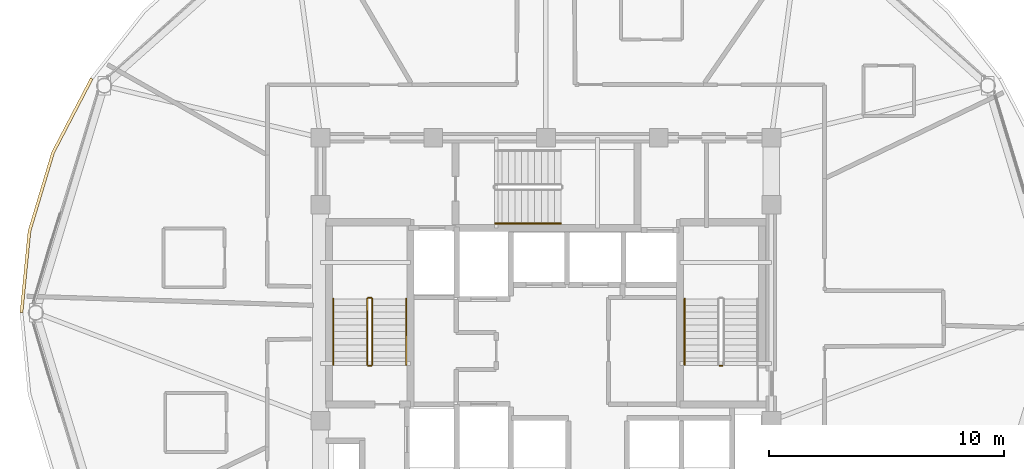
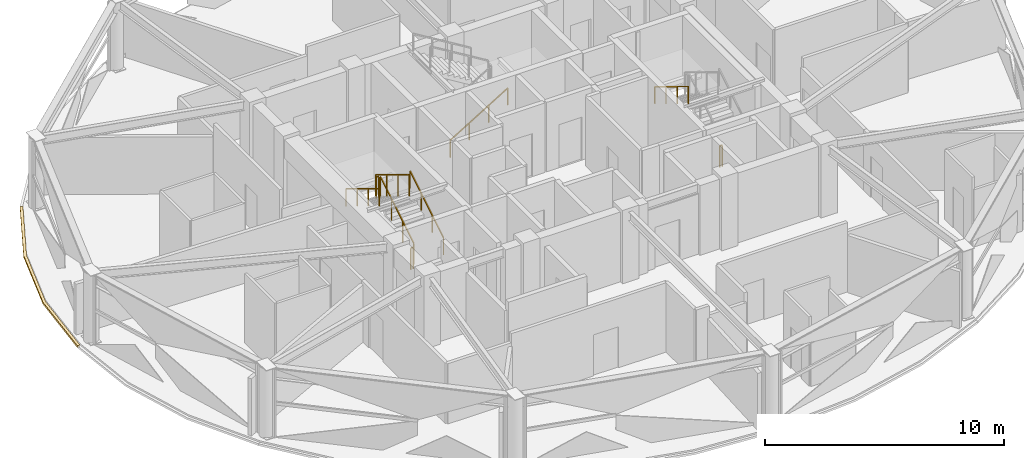
# One storey, part 26 of 28: 9 railings, 1 covering.
"""IFC4 building model written with IfcOpenShell, lengths in metres."""

import ifcopenshell
import ifcopenshell.guid

model = None  # the IFC model being written
_history = None  # IfcOwnerHistory: only IFC2X3 demands one
_inside = {}  # id of a spatial element -> (the spatial element, [elements in it])
_under = {}  # id of a project, library or spatial element -> (it, [spatial elements below it])
_declared = {}  # id of a project -> (the project, [libraries it declares])
_typed = {}  # id of a type object -> (the type object, [elements of that type])
_made_of = {}  # id of a material, layer set ... -> (it, [elements and type objects made of it])


def new_model(schema):
    """Start an empty IFC model of exactly this schema.

    Asked for "IFC4X3", IfcOpenShell would pick the latest addendum, in which some entities
    have other attributes; the version numbers below select the first issue.
    IFC2X3 requires an IfcOwnerHistory on every rooted entity: one is made here for all.
    """
    global model, _history
    if schema == "IFC4X3":
        model = ifcopenshell.file(schema_version=(4, 3, 0, 0))
    else:
        model = ifcopenshell.file(schema=schema)
    _inside.clear()
    _under.clear()
    _declared.clear()
    _typed.clear()
    _made_of.clear()
    _history = None
    if model.schema == "IFC2X3":
        org = make("IfcOrganization", Name="unknown")
        user = make(
            "IfcPersonAndOrganization",
            ThePerson=make("IfcPerson", FamilyName="unknown"),
            TheOrganization=org,
        )
        app = make(
            "IfcApplication",
            ApplicationDeveloper=org,
            Version="unknown",
            ApplicationFullName="unknown",
            ApplicationIdentifier="unknown",
        )
        _history = make(
            "IfcOwnerHistory",
            OwningUser=user,
            OwningApplication=app,
            ChangeAction="ADDED",
            CreationDate=0,
        )
    return model


def make(cls, **values):
    """One entity of the class cls with the attributes given. An attribute that is None is left unset."""
    return model.create_entity(
        cls, **{name: value for name, value in values.items() if value is not None}
    )


def rooted(cls, **values):
    """An entity with a GlobalId (a new one), such as an element, a storey or a relation."""
    return make(cls, GlobalId=ifcopenshell.guid.new(), OwnerHistory=_history, **values)


def si_unit(unit_type, name, prefix=None):
    """IfcSIUnit, for example si_unit("LENGTHUNIT", "METRE", prefix="MILLI")."""
    return make("IfcSIUnit", UnitType=unit_type, Prefix=prefix, Name=name)


def assignment(units):
    """IfcUnitAssignment: the units of a project."""
    return None if units is None else make("IfcUnitAssignment", Units=units)


def point(xyz):
    """IfcCartesianPoint."""
    return None if xyz is None else make("IfcCartesianPoint", Coordinates=xyz)


def direction(xyz):
    """IfcDirection."""
    return None if xyz is None else make("IfcDirection", DirectionRatios=xyz)


def frame(location, z_axis=None, x_axis=None):
    """IfcAxis2Placement3D, a coordinate frame: its origin and axes. An axis left out is left unset."""
    return make(
        "IfcAxis2Placement3D",
        Location=point(location),
        Axis=direction(z_axis),
        RefDirection=direction(x_axis),
    )


def frame_2d(location, x_axis=None):
    """IfcAxis2Placement2D, a coordinate frame in the plane: its origin and x axis."""
    return make(
        "IfcAxis2Placement2D", Location=point(location), RefDirection=direction(x_axis)
    )


def origin():
    """The frame at (0, 0, 0) with its axes left unset."""
    return frame((0.0, 0.0, 0.0))


def origin_2d():
    """The frame at (0, 0) in the plane with its x axis left unset."""
    return frame_2d((0.0, 0.0))


def place(relative_to, where):
    """IfcLocalPlacement: puts the frame where relative to a parent placement (None: the world)."""
    return make(
        "IfcLocalPlacement", PlacementRelTo=relative_to, RelativePlacement=where
    )


def context(
    kind, dimensions, precision=None, world=None, true_north=None, identifier=None
):
    """IfcGeometricRepresentationContext, for example the 3D "Model" context."""
    return make(
        "IfcGeometricRepresentationContext",
        ContextIdentifier=identifier,
        ContextType=kind,
        CoordinateSpaceDimension=dimensions,
        Precision=precision,
        WorldCoordinateSystem=world,
        TrueNorth=true_north,
    )


def subcontext(parent, identifier, kind, view, scale=None):
    """IfcGeometricRepresentationSubContext, for example "Body" below "Model"."""
    return make(
        "IfcGeometricRepresentationSubContext",
        ContextIdentifier=identifier,
        ContextType=kind,
        ParentContext=parent,
        TargetScale=scale,
        TargetView=view,
    )


def project(units=None, contexts=None):
    """IfcProject with its units and contexts."""
    return rooted(
        "IfcProject",
        Name="project",
        RepresentationContexts=contexts,
        UnitsInContext=assignment(units),
    )


def spatial(cls, under=None, at=None, **own):
    """A site, building, storey or space (cls), placed at a placement, below another one or the project."""
    s = rooted(cls, ObjectPlacement=at, **own)
    if under is not None:
        _under.setdefault(under.id(), (under, []))[1].append(s)
    return s


def polyline(points):
    """IfcPolyline through the points."""
    return make("IfcPolyline", Points=[point(p) for p in points])


def profile(cls, at=None, kind="AREA", **sizes):
    """A parametric profile (cls). Its sizes go by their IFC names, for example OverallWidth=200.0."""
    return make(cls, ProfileType=kind, Position=at, **sizes)


def rectangle(**sizes):
    """IfcRectangleProfileDef."""
    return profile("IfcRectangleProfileDef", **sizes)


def outline(outer, holes=None, kind="AREA"):
    """IfcArbitraryClosedProfileDef: a profile drawn as a closed curve; with holes, ...WithVoids."""
    if holes is None:
        return make("IfcArbitraryClosedProfileDef", ProfileType=kind, OuterCurve=outer)
    return make(
        "IfcArbitraryProfileDefWithVoids",
        ProfileType=kind,
        OuterCurve=outer,
        InnerCurves=holes,
    )


def extrude(swept, where, along, depth):
    """IfcExtrudedAreaSolid: the profile swept, set in the frame where, extruded along a direction by depth."""
    return make(
        "IfcExtrudedAreaSolid",
        SweptArea=swept,
        Position=where,
        ExtrudedDirection=direction(along),
        Depth=depth,
    )


def shape(context_of_items, identifier, shape_type, items):
    """IfcShapeRepresentation: the items that make up one representation, for example the "Body"."""
    return make(
        "IfcShapeRepresentation",
        ContextOfItems=context_of_items,
        RepresentationIdentifier=identifier,
        RepresentationType=shape_type,
        Items=items,
    )


def material(Name=None, Category=None):
    """IfcMaterial."""
    return make("IfcMaterial", Name=Name, Category=Category)


def layer(
    of_material, thickness, ventilated=None, Name=None, Category=None, Priority=None
):
    """IfcMaterialLayer: one layer of a wall or slab, of a material (None: an air gap)."""
    return make(
        "IfcMaterialLayer",
        Material=of_material,
        LayerThickness=thickness,
        IsVentilated=ventilated,
        Name=Name,
        Category=Category,
        Priority=Priority,
    )


def layer_set(layers, Name=None):
    """IfcMaterialLayerSet."""
    return make("IfcMaterialLayerSet", MaterialLayers=layers, LayerSetName=Name)


def made_of(thing, what):
    """Note that an element or type object is made of a material, layer set ...; save() writes the relation."""
    if what is not None:
        _made_of.setdefault(what.id(), (what, []))[1].append(thing)
    return thing


def type_object(cls, material=None, **own):
    """A type object (cls), such as IfcWallType, which elements share."""
    return made_of(rooted(cls, **own), material)


def element(
    cls,
    number,
    at=None,
    inside=None,
    cuts=None,
    type_object=None,
    material=None,
    context=None,
    identifier="Body",
    shape_type=None,
    held_by="IfcProductDefinitionShape",
    body=None,
    shapes=None,
    **own,
):
    """One element of the class cls, such as IfcWall. Its Tag is "e" and its number.

    at: its placement. inside: the storey or other place that contains it. cuts: it is an
    opening in that element (IfcRelVoidsElement). A single representation is given by context,
    identifier, shape_type and body (its items); several are given by shapes. held_by: the class
    of the entity that holds the representations. save() writes the other relations.
    """
    e = rooted(cls, Tag="e%d" % number, ObjectPlacement=at, **own)
    if body is not None:
        shapes = [shape(context, identifier, shape_type, body)]
    if shapes is not None:
        e.Representation = make(held_by, Representations=shapes)
    if inside is not None:
        _inside.setdefault(inside.id(), (inside, []))[1].append(e)
    if cuts is not None:
        rooted(
            "IfcRelVoidsElement", RelatingBuildingElement=cuts, RelatedOpeningElement=e
        )
    if type_object is not None:
        _typed.setdefault(type_object.id(), (type_object, []))[1].append(e)
    return made_of(e, material)


def aggregate(whole, parts):
    """IfcRelAggregates: a whole, such as a stair, and the parts it consists of."""
    return rooted("IfcRelAggregates", RelatingObject=whole, RelatedObjects=parts)


def save(model, path):
    """Write the relations noted so far, then the file.

    IfcRelAggregates (storeys below a building ...), IfcRelContainedInSpatialStructure (elements
    in a storey), IfcRelDefinesByType, IfcRelAssociatesMaterial and IfcRelDeclares: one each for
    every whole, place, type object, material and project.
    """
    for whole, parts in _under.values():
        aggregate(whole, parts)
    for where, things in _inside.values():
        rooted(
            "IfcRelContainedInSpatialStructure",
            RelatedElements=things,
            RelatingStructure=where,
        )
    for kind, things in _typed.values():
        rooted("IfcRelDefinesByType", RelatedObjects=things, RelatingType=kind)
    for what, things in _made_of.values():
        rooted("IfcRelAssociatesMaterial", RelatedObjects=things, RelatingMaterial=what)
    for by, libraries in _declared.values():
        rooted("IfcRelDeclares", RelatingContext=by, RelatedDefinitions=libraries)
    model.write(path)


model = new_model("IFC4")

# Units and contexts
model_context = context("Model", 3, precision=1e-05, world=origin(), true_north=direction((0.0, 1.0)))
body_context = subcontext(model_context, "Body", "Model", "MODEL_VIEW")
ifc_project = project(units=[si_unit("LENGTHUNIT", "METRE"), si_unit("AREAUNIT", "SQUARE_METRE"), si_unit("VOLUMEUNIT", "CUBIC_METRE"), si_unit("PLANEANGLEUNIT", "RADIAN"), si_unit("MASSUNIT", "GRAM", prefix="KILO")], contexts=[model_context])

# Site, building, storey
site_placement = place(None, origin())
site = spatial("IfcSite", under=ifc_project, at=site_placement, CompositionType="ELEMENT")
building_placement = place(site_placement, origin())
building = spatial("IfcBuilding", under=site, at=building_placement, Name="Vantalir Tower", CompositionType="ELEMENT")
storey_placement = place(building_placement, frame((0.0, 0.0, 238.64990234375)))
storey = spatial("IfcBuildingStorey", under=building, at=storey_placement, Name="L60", CompositionType="ELEMENT", Elevation=238.64990234375)

# Covering
ifc_material_1 = material(Name="Anodised champagne aluminium sill fascia", Category="aluminium")
ifc_layer = layer(ifc_material_1, 0.125)
ifc_layer_set = layer_set([ifc_layer], Name="Anodised champagne aluminium sill fascia")
covering_type = type_object("IfcCoveringType", Name="COV-SLAB-FASCIA-125", PredefinedType="CLADDING", material=ifc_layer_set)
covering_placement = place(storey_placement, frame((0.0, 0.0, -0.179931640625)))
element("IfcCovering", 1, at=covering_placement, inside=storey, type_object=covering_type, Name="L60 Perimeter Slab-Edge Sill Fascia 06", PredefinedType="CLADDING", context=body_context, shape_type="SweptSolid", body=[
    extrude(outline(polyline([(12.10693359375, 35.00390625), (10.45703125, 31.843017578125), (9.447021484375, 28.47412109375), (9.10693359375, 25.0), (9.23193359375, 25.0), (9.570068359375, 28.452880859375), (10.574951171875, 31.800048828125), (12.215087890625, 34.94091796875), (12.10693359375, 35.00390625)])), origin(), (0.0, 0.0, 1.0), 0.10498046875),
])

# Railings
ifc_material_2 = material(Name="Anodised aluminium and stainless steel guard", Category="steel")
railing_type_1 = type_object("IfcRailingType", Name="RAL-GUARD-1120", PredefinedType="GUARDRAIL", material=ifc_material_2)
railing_1_placement = place(storey_placement, frame((24.110107421875, 22.7900390625, 0.170654296875)))
element("IfcRailing", 2, at=railing_1_placement, inside=storey, type_object=railing_type_1, Name="L60 ST1 stair guard 1", PredefinedType="GUARDRAIL", context=body_context, shape_type="SweptSolid", body=[
    extrude(rectangle(XDim=0.048095703125, YDim=0.048095703125, at=origin_2d()), frame((0.0, 0.0, 1.09619140625), z_axis=(0.0, 0.854202870247, 0.519939858505), x_axis=(-1.0, 0.0, 0.0)), (0.0, 0.0, 1.0), 3.278076171875),
    extrude(rectangle(XDim=0.0419921875, YDim=0.0419921875, at=origin_2d()), origin(), (0.0, 0.0, 1.0), 1.072021484375),
    extrude(rectangle(XDim=0.0419921875, YDim=0.0419921875, at=origin_2d()), frame((0.0, 0.933349609375, 0.568115234375)), (0.0, 0.0, 1.0), 1.072021484375),
    extrude(rectangle(XDim=0.0419921875, YDim=0.0419921875, at=origin_2d()), frame((0.0, 1.86669921875, 1.13623046875)), (0.0, 0.0, 1.0), 1.072021484375),
    extrude(rectangle(XDim=0.0419921875, YDim=0.0419921875, at=origin_2d()), frame((0.0, 2.800048828125, 1.704345703125)), (0.0, 0.0, 1.0), 1.072021484375),
])
railing_2_placement = place(storey_placement, frame((24.06005859375, 25.639892578125, 1.875)))
element("IfcRailing", 3, at=railing_2_placement, inside=storey, type_object=railing_type_1, Name="L60 ST1 stair guard 2", PredefinedType="GUARDRAIL", context=body_context, shape_type="SweptSolid", body=[
    extrude(rectangle(XDim=0.048095703125, YDim=0.048095703125, at=origin_2d()), frame((0.0, 0.0, 1.09619140625), z_axis=(-1.0, 0.0, 0.0), x_axis=(0.0, -1.0, 0.0)), (0.0, 0.0, 1.0), 0.1201171875),
    extrude(rectangle(XDim=0.0419921875, YDim=0.0419921875, at=origin_2d()), origin(), (0.0, 0.0, 1.0), 1.072021484375),
    extrude(rectangle(XDim=0.0419921875, YDim=0.0419921875, at=origin_2d()), frame((-0.1201171875, 0.0, 0.0)), (0.0, 0.0, 1.0), 1.072021484375),
])
railing_3_placement = place(storey_placement, frame((23.889892578125, 25.590087890625, 2.045654296875)))
element("IfcRailing", 4, at=railing_3_placement, inside=storey, type_object=railing_type_1, Name="L60 ST1 stair guard 3", PredefinedType="GUARDRAIL", context=body_context, shape_type="SweptSolid", body=[
    extrude(rectangle(XDim=0.048095703125, YDim=0.048095703125, at=origin_2d()), frame((0.0, 0.0, 1.09619140625), z_axis=(0.0, -0.854202870247, 0.519939858505), x_axis=(1.0, 0.0, 0.0)), (0.0, 0.0, 1.0), 3.278076171875),
    extrude(rectangle(XDim=0.0419921875, YDim=0.0419921875, at=origin_2d()), origin(), (0.0, 0.0, 1.0), 1.072021484375),
    extrude(rectangle(XDim=0.0419921875, YDim=0.0419921875, at=origin_2d()), frame((0.0, -0.933349609375, 0.568115234375)), (0.0, 0.0, 1.0), 1.072021484375),
    extrude(rectangle(XDim=0.0419921875, YDim=0.0419921875, at=origin_2d()), frame((0.0, -1.86669921875, 1.13623046875)), (0.0, 0.0, 1.0), 1.072021484375),
    extrude(rectangle(XDim=0.0419921875, YDim=0.0419921875, at=origin_2d()), frame((0.0, -2.800048828125, 1.704345703125)), (0.0, 0.0, 1.0), 1.072021484375),
])
for number, where, name in (
    (5, (24.06005859375, 22.739990234375, 0.0), "L60 ST1 stair guard 4"),
    (6, (39.010009765625, 22.739990234375, 0.0), "L60 ST2 stair guard 4"),
):
    element("IfcRailing", number, at=place(storey_placement, frame(where)), inside=storey, type_object=railing_type_1, Name=name, PredefinedType="GUARDRAIL", context=body_context, shape_type="SweptSolid", body=[
        extrude(rectangle(XDim=0.048095703125, YDim=0.048095703125, at=origin_2d()), frame((0.0, 0.0, 1.09619140625), z_axis=(-1.0, 0.0, 0.0), x_axis=(0.0, -1.0, 0.0)), (0.0, 0.0, 1.0), 0.1201171875),
        extrude(rectangle(XDim=0.0419921875, YDim=0.0419921875, at=origin_2d()), origin(), (0.0, 0.0, 1.0), 1.072021484375),
        extrude(rectangle(XDim=0.0419921875, YDim=0.0419921875, at=origin_2d()), frame((-0.1201171875, 0.0, 0.0)), (0.0, 0.0, 1.0), 1.072021484375),
    ])
ifc_material_3 = material(Name="Brushed stainless steel tubular handrail", Category="steel")
railing_type_2 = type_object("IfcRailingType", Name="RAL-HANDRAIL-900", PredefinedType="HANDRAIL", material=ifc_material_3)
railing_4_placement = place(storey_placement, frame((25.550048828125, 22.7900390625, 0.170654296875)))
element("IfcRailing", 7, at=railing_4_placement, inside=storey, type_object=railing_type_2, Name="L60 ST1 stair handrail 1", PredefinedType="HANDRAIL", context=body_context, shape_type="SweptSolid", body=[
    extrude(rectangle(XDim=0.048095703125, YDim=0.048095703125, at=origin_2d()), frame((0.0, 0.0, 0.8759765625), z_axis=(0.0, 0.854202870247, 0.519939858505), x_axis=(-1.0, 0.0, 0.0)), (0.0, 0.0, 1.0), 3.278076171875),
    extrude(rectangle(XDim=0.0419921875, YDim=0.0419921875, at=origin_2d()), origin(), (0.0, 0.0, 1.0), 0.851806640625),
    extrude(rectangle(XDim=0.0419921875, YDim=0.0419921875, at=origin_2d()), frame((0.0, 0.933349609375, 0.568115234375)), (0.0, 0.0, 1.0), 0.851806640625),
    extrude(rectangle(XDim=0.0419921875, YDim=0.0419921875, at=origin_2d()), frame((0.0, 1.86669921875, 1.13623046875)), (0.0, 0.0, 1.0), 0.851806640625),
    extrude(rectangle(XDim=0.0419921875, YDim=0.0419921875, at=origin_2d()), frame((0.0, 2.800048828125, 1.704345703125)), (0.0, 0.0, 1.0), 0.851806640625),
])
for number, where, name in (
    (8, (22.449951171875, 25.590087890625, 2.045654296875), "L60 ST1 stair handrail 2"),
    (9, (37.39990234375, 25.590087890625, 2.045654296875), "L60 ST2 stair handrail 2"),
):
    element("IfcRailing", number, at=place(storey_placement, frame(where)), inside=storey, type_object=railing_type_2, Name=name, PredefinedType="HANDRAIL", context=body_context, shape_type="SweptSolid", body=[
        extrude(rectangle(XDim=0.048095703125, YDim=0.048095703125, at=origin_2d()), frame((0.0, 0.0, 0.8759765625), z_axis=(0.0, -0.854202870247, 0.519939858505), x_axis=(1.0, 0.0, 0.0)), (0.0, 0.0, 1.0), 3.278076171875),
        extrude(rectangle(XDim=0.0419921875, YDim=0.0419921875, at=origin_2d()), origin(), (0.0, 0.0, 1.0), 0.851806640625),
        extrude(rectangle(XDim=0.0419921875, YDim=0.0419921875, at=origin_2d()), frame((0.0, -0.933349609375, 0.568115234375)), (0.0, 0.0, 1.0), 0.851806640625),
        extrude(rectangle(XDim=0.0419921875, YDim=0.0419921875, at=origin_2d()), frame((0.0, -1.86669921875, 1.13623046875)), (0.0, 0.0, 1.0), 0.851806640625),
        extrude(rectangle(XDim=0.0419921875, YDim=0.0419921875, at=origin_2d()), frame((0.0, -2.800048828125, 1.704345703125)), (0.0, 0.0, 1.0), 0.851806640625),
    ])
railing_5_placement = place(storey_placement, frame((29.340087890625, 28.800048828125, 0.170654296875)))
element("IfcRailing", 10, at=railing_5_placement, inside=storey, type_object=railing_type_2, Name="L60 ST3 stair handrail 1", PredefinedType="HANDRAIL", context=body_context, shape_type="SweptSolid", body=[
    extrude(rectangle(XDim=0.048095703125, YDim=0.048095703125, at=origin_2d()), frame((0.0, 0.0, 0.8759765625), z_axis=(0.854182733786, 0.0, 0.519972939009), x_axis=(0.0, 1.0, 0.0)), (0.0, 0.0, 1.0), 3.27783203125),
    extrude(rectangle(XDim=0.0419921875, YDim=0.0419921875, at=origin_2d()), origin(), (0.0, 0.0, 1.0), 0.851806640625),
    extrude(rectangle(XDim=0.0419921875, YDim=0.0419921875, at=origin_2d()), frame((0.933349609375, 0.0, 0.568115234375)), (0.0, 0.0, 1.0), 0.851806640625),
    extrude(rectangle(XDim=0.0419921875, YDim=0.0419921875, at=origin_2d()), frame((1.866455078125, 0.0, 1.13623046875)), (0.0, 0.0, 1.0), 0.851806640625),
    extrude(rectangle(XDim=0.0419921875, YDim=0.0419921875, at=origin_2d()), frame((2.7998046875, 0.0, 1.704345703125)), (0.0, 0.0, 1.0), 0.851806640625),
])

save(model, "model.ifc")
